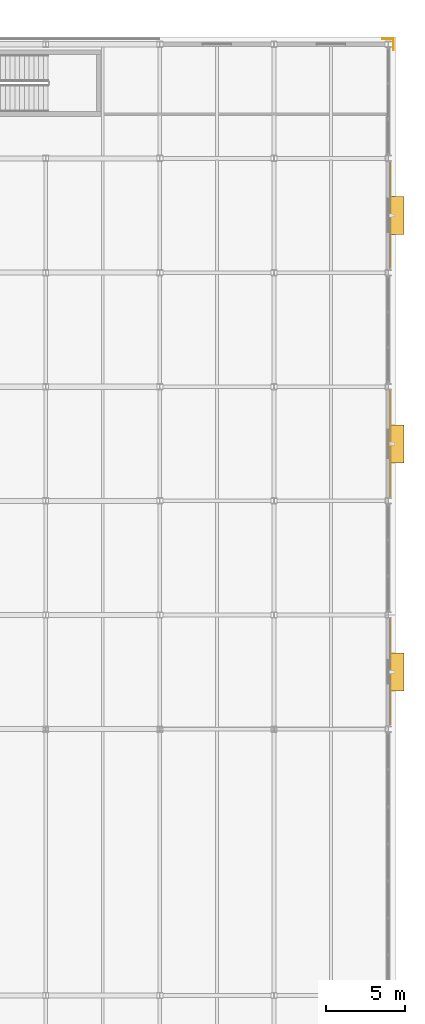
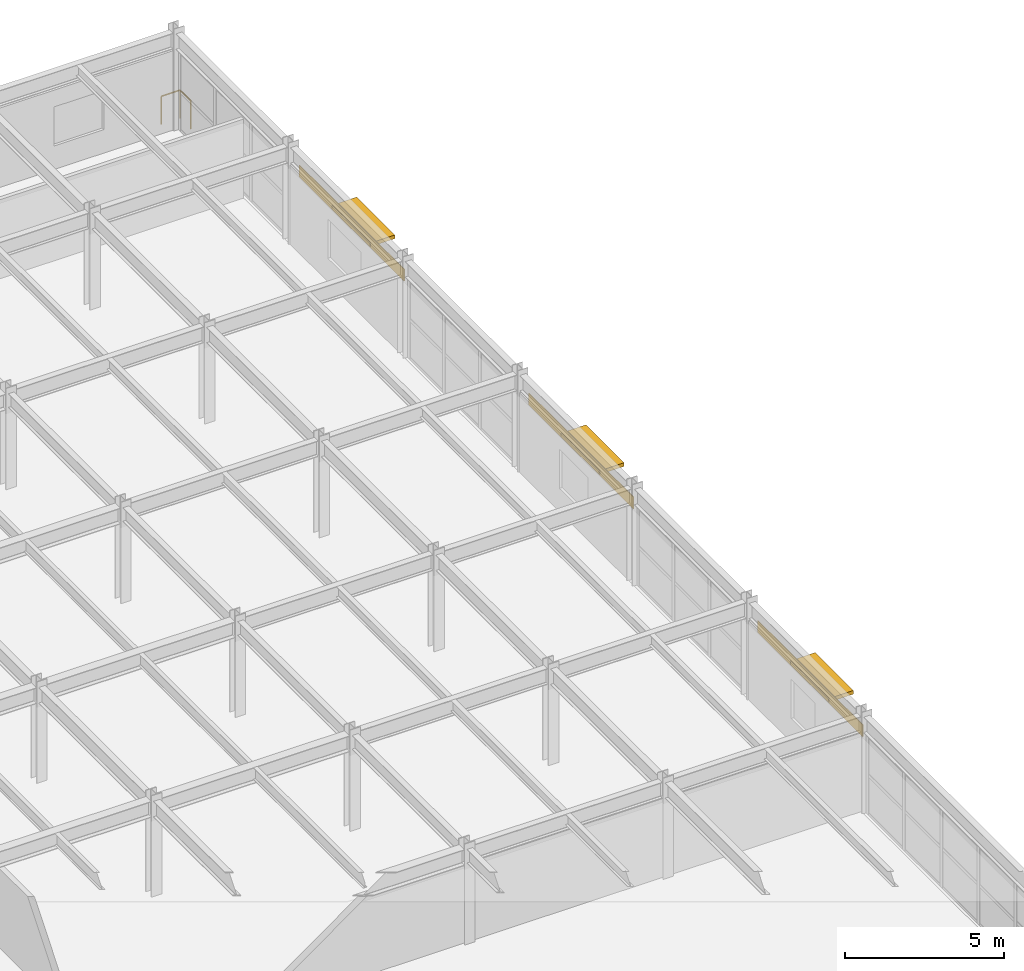
# One storey, part 93 of 93: 3 coverings, 3 shading devices, 2 railings.
"""IFC4 building model written with IfcOpenShell, lengths in metres."""

import ifcopenshell
import ifcopenshell.guid

model = None  # the IFC model being written
_history = None  # IfcOwnerHistory: only IFC2X3 demands one
_inside = {}  # id of a spatial element -> (the spatial element, [elements in it])
_under = {}  # id of a project, library or spatial element -> (it, [spatial elements below it])
_declared = {}  # id of a project -> (the project, [libraries it declares])
_typed = {}  # id of a type object -> (the type object, [elements of that type])
_made_of = {}  # id of a material, layer set ... -> (it, [elements and type objects made of it])


def new_model(schema):
    """Start an empty IFC model of exactly this schema.

    Asked for "IFC4X3", IfcOpenShell would pick the latest addendum, in which some entities
    have other attributes; the version numbers below select the first issue.
    IFC2X3 requires an IfcOwnerHistory on every rooted entity: one is made here for all.
    """
    global model, _history
    if schema == "IFC4X3":
        model = ifcopenshell.file(schema_version=(4, 3, 0, 0))
    else:
        model = ifcopenshell.file(schema=schema)
    _inside.clear()
    _under.clear()
    _declared.clear()
    _typed.clear()
    _made_of.clear()
    _history = None
    if model.schema == "IFC2X3":
        org = make("IfcOrganization", Name="unknown")
        user = make(
            "IfcPersonAndOrganization",
            ThePerson=make("IfcPerson", FamilyName="unknown"),
            TheOrganization=org,
        )
        app = make(
            "IfcApplication",
            ApplicationDeveloper=org,
            Version="unknown",
            ApplicationFullName="unknown",
            ApplicationIdentifier="unknown",
        )
        _history = make(
            "IfcOwnerHistory",
            OwningUser=user,
            OwningApplication=app,
            ChangeAction="ADDED",
            CreationDate=0,
        )
    return model


def make(cls, **values):
    """One entity of the class cls with the attributes given. An attribute that is None is left unset."""
    return model.create_entity(
        cls, **{name: value for name, value in values.items() if value is not None}
    )


def rooted(cls, **values):
    """An entity with a GlobalId (a new one), such as an element, a storey or a relation."""
    return make(cls, GlobalId=ifcopenshell.guid.new(), OwnerHistory=_history, **values)


def si_unit(unit_type, name, prefix=None):
    """IfcSIUnit, for example si_unit("LENGTHUNIT", "METRE", prefix="MILLI")."""
    return make("IfcSIUnit", UnitType=unit_type, Prefix=prefix, Name=name)


def assignment(units):
    """IfcUnitAssignment: the units of a project."""
    return None if units is None else make("IfcUnitAssignment", Units=units)


def point(xyz):
    """IfcCartesianPoint."""
    return None if xyz is None else make("IfcCartesianPoint", Coordinates=xyz)


def direction(xyz):
    """IfcDirection."""
    return None if xyz is None else make("IfcDirection", DirectionRatios=xyz)


def frame(location, z_axis=None, x_axis=None):
    """IfcAxis2Placement3D, a coordinate frame: its origin and axes. An axis left out is left unset."""
    return make(
        "IfcAxis2Placement3D",
        Location=point(location),
        Axis=direction(z_axis),
        RefDirection=direction(x_axis),
    )


def frame_2d(location, x_axis=None):
    """IfcAxis2Placement2D, a coordinate frame in the plane: its origin and x axis."""
    return make(
        "IfcAxis2Placement2D", Location=point(location), RefDirection=direction(x_axis)
    )


def origin():
    """The frame at (0, 0, 0) with its axes left unset."""
    return frame((0.0, 0.0, 0.0))


def origin_2d():
    """The frame at (0, 0) in the plane with its x axis left unset."""
    return frame_2d((0.0, 0.0))


def place(relative_to, where):
    """IfcLocalPlacement: puts the frame where relative to a parent placement (None: the world)."""
    return make(
        "IfcLocalPlacement", PlacementRelTo=relative_to, RelativePlacement=where
    )


def context(
    kind, dimensions, precision=None, world=None, true_north=None, identifier=None
):
    """IfcGeometricRepresentationContext, for example the 3D "Model" context."""
    return make(
        "IfcGeometricRepresentationContext",
        ContextIdentifier=identifier,
        ContextType=kind,
        CoordinateSpaceDimension=dimensions,
        Precision=precision,
        WorldCoordinateSystem=world,
        TrueNorth=true_north,
    )


def subcontext(parent, identifier, kind, view, scale=None):
    """IfcGeometricRepresentationSubContext, for example "Body" below "Model"."""
    return make(
        "IfcGeometricRepresentationSubContext",
        ContextIdentifier=identifier,
        ContextType=kind,
        ParentContext=parent,
        TargetScale=scale,
        TargetView=view,
    )


def project(units=None, contexts=None):
    """IfcProject with its units and contexts."""
    return rooted(
        "IfcProject",
        Name="project",
        RepresentationContexts=contexts,
        UnitsInContext=assignment(units),
    )


def spatial(cls, under=None, at=None, **own):
    """A site, building, storey or space (cls), placed at a placement, below another one or the project."""
    s = rooted(cls, ObjectPlacement=at, **own)
    if under is not None:
        _under.setdefault(under.id(), (under, []))[1].append(s)
    return s


def profile(cls, at=None, kind="AREA", **sizes):
    """A parametric profile (cls). Its sizes go by their IFC names, for example OverallWidth=200.0."""
    return make(cls, ProfileType=kind, Position=at, **sizes)


def rectangle(**sizes):
    """IfcRectangleProfileDef."""
    return profile("IfcRectangleProfileDef", **sizes)


def circle(**sizes):
    """IfcCircleProfileDef."""
    return profile("IfcCircleProfileDef", **sizes)


def extrude(swept, where, along, depth):
    """IfcExtrudedAreaSolid: the profile swept, set in the frame where, extruded along a direction by depth."""
    return make(
        "IfcExtrudedAreaSolid",
        SweptArea=swept,
        Position=where,
        ExtrudedDirection=direction(along),
        Depth=depth,
    )


def shape(context_of_items, identifier, shape_type, items):
    """IfcShapeRepresentation: the items that make up one representation, for example the "Body"."""
    return make(
        "IfcShapeRepresentation",
        ContextOfItems=context_of_items,
        RepresentationIdentifier=identifier,
        RepresentationType=shape_type,
        Items=items,
    )


def material(Name=None, Category=None):
    """IfcMaterial."""
    return make("IfcMaterial", Name=Name, Category=Category)


def layer(
    of_material, thickness, ventilated=None, Name=None, Category=None, Priority=None
):
    """IfcMaterialLayer: one layer of a wall or slab, of a material (None: an air gap)."""
    return make(
        "IfcMaterialLayer",
        Material=of_material,
        LayerThickness=thickness,
        IsVentilated=ventilated,
        Name=Name,
        Category=Category,
        Priority=Priority,
    )


def layer_set(layers, Name=None):
    """IfcMaterialLayerSet."""
    return make("IfcMaterialLayerSet", MaterialLayers=layers, LayerSetName=Name)


def made_of(thing, what):
    """Note that an element or type object is made of a material, layer set ...; save() writes the relation."""
    if what is not None:
        _made_of.setdefault(what.id(), (what, []))[1].append(thing)
    return thing


def type_object(cls, material=None, **own):
    """A type object (cls), such as IfcWallType, which elements share."""
    return made_of(rooted(cls, **own), material)


def element(
    cls,
    number,
    at=None,
    inside=None,
    cuts=None,
    type_object=None,
    material=None,
    context=None,
    identifier="Body",
    shape_type=None,
    held_by="IfcProductDefinitionShape",
    body=None,
    shapes=None,
    **own,
):
    """One element of the class cls, such as IfcWall. Its Tag is "e" and its number.

    at: its placement. inside: the storey or other place that contains it. cuts: it is an
    opening in that element (IfcRelVoidsElement). A single representation is given by context,
    identifier, shape_type and body (its items); several are given by shapes. held_by: the class
    of the entity that holds the representations. save() writes the other relations.
    """
    e = rooted(cls, Tag="e%d" % number, ObjectPlacement=at, **own)
    if body is not None:
        shapes = [shape(context, identifier, shape_type, body)]
    if shapes is not None:
        e.Representation = make(held_by, Representations=shapes)
    if inside is not None:
        _inside.setdefault(inside.id(), (inside, []))[1].append(e)
    if cuts is not None:
        rooted(
            "IfcRelVoidsElement", RelatingBuildingElement=cuts, RelatedOpeningElement=e
        )
    if type_object is not None:
        _typed.setdefault(type_object.id(), (type_object, []))[1].append(e)
    return made_of(e, material)


def aggregate(whole, parts):
    """IfcRelAggregates: a whole, such as a stair, and the parts it consists of."""
    return rooted("IfcRelAggregates", RelatingObject=whole, RelatedObjects=parts)


def save(model, path):
    """Write the relations noted so far, then the file.

    IfcRelAggregates (storeys below a building ...), IfcRelContainedInSpatialStructure (elements
    in a storey), IfcRelDefinesByType, IfcRelAssociatesMaterial and IfcRelDeclares: one each for
    every whole, place, type object, material and project.
    """
    for whole, parts in _under.values():
        aggregate(whole, parts)
    for where, things in _inside.values():
        rooted(
            "IfcRelContainedInSpatialStructure",
            RelatedElements=things,
            RelatingStructure=where,
        )
    for kind, things in _typed.values():
        rooted("IfcRelDefinesByType", RelatedObjects=things, RelatingType=kind)
    for what, things in _made_of.values():
        rooted("IfcRelAssociatesMaterial", RelatedObjects=things, RelatingMaterial=what)
    for by, libraries in _declared.values():
        rooted("IfcRelDeclares", RelatingContext=by, RelatedDefinitions=libraries)
    model.write(path)


model = new_model("IFC4")

# Units and contexts
model_context = context("Model", 3, precision=1e-05, world=origin(), true_north=direction((0.0, 1.0)))
body_context = subcontext(model_context, "Body", "Model", "MODEL_VIEW")
ifc_project = project(units=[si_unit("LENGTHUNIT", "METRE"), si_unit("AREAUNIT", "SQUARE_METRE"), si_unit("VOLUMEUNIT", "CUBIC_METRE"), si_unit("PLANEANGLEUNIT", "RADIAN"), si_unit("MASSUNIT", "GRAM", prefix="KILO")], contexts=[model_context])

# Site, building, storey
site_placement = place(None, origin())
site = spatial("IfcSite", under=ifc_project, at=site_placement, CompositionType="ELEMENT")
building_placement = place(site_placement, origin())
building = spatial("IfcBuilding", under=site, at=building_placement, Name="Vaelcorin Mobility Hub", CompositionType="ELEMENT")
storey_placement = place(building_placement, frame((0.0, 0.0, 5.39990234375)))
storey = spatial("IfcBuildingStorey", under=building, at=storey_placement, Name="L01", CompositionType="ELEMENT", Elevation=5.39990234375)

# Coverings
ifc_material_1 = material(Name="Extruded terracotta-bronze rainscreen panel", Category="masonry")
ifc_layer_1 = layer(ifc_material_1, 0.034912109375)
ifc_layer_set_1 = layer_set([ifc_layer_1], Name="Extruded terracotta-bronze rainscreen panel")
covering_type = type_object("IfcCoveringType", Name="COV-CLAD-35", PredefinedType="CLADDING", material=ifc_layer_set_1)
for number, where, z_axis, x_axis, name in (
    (1, (204.139892578125, 80.39990234375, 2.568359375), (0.0, 0.0, 1.0), (1.0, 0.0, 0.0), "Terracotta-Bronze Facade Cladding L01-09"),
    (2, (204.139892578125, 94.800048828125, 2.568359375), (0.0, 0.0, 1.0), (1.0, 0.0, 0.0), "Terracotta-Bronze Facade Cladding L01-11"),
    (3, (204.139892578125, 109.199951171875, 2.568359375), (0.0, 0.0, 1.0), (1.0, 0.0, 0.0), "Terracotta-Bronze Facade Cladding L01-13"),
):
    element("IfcCovering", number, at=place(storey_placement, frame(where, z_axis=z_axis, x_axis=x_axis)), inside=storey, type_object=covering_type, Name=name, PredefinedType="CLADDING", context=body_context, shape_type="SweptSolid", body=[
        extrude(rectangle(XDim=0.028076171875, YDim=6.60009765625, at=origin_2d()), origin(), (0.0, 0.0, 1.0), 0.449951171875),
    ])

# Railings
ifc_material_2 = material(Name="Galvanised structural steel ASTM A36", Category="steel")
ifc_layer_2 = layer(ifc_material_2, 0.070068359375)
ifc_layer_set_2 = layer_set([ifc_layer_2], Name="Galvanised structural steel ASTM A36")
railing_type = type_object("IfcRailingType", Name="RL-GUARD-1100", PredefinedType="BALUSTRADE", material=ifc_layer_set_2)
railing_1_placement = place(storey_placement, frame((203.64990234375, 120.330078125, 0.0)))
element("IfcRailing", 4, at=railing_1_placement, inside=storey, type_object=railing_type, Name="L01 Perimeter Guard GR-V5-L01-NE-CNR-01", PredefinedType="BALUSTRADE", context=body_context, shape_type="SweptSolid", body=[
    extrude(circle(Radius=0.02392578125, at=origin_2d()), frame((0.0, 0.0, 1.076171875), z_axis=(1.0, 0.0, 0.0), x_axis=(0.0, 1.0, 0.0)), (0.0, 0.0, 1.0), 0.68017578125),
    extrude(circle(Radius=0.02099609375, at=origin_2d()), origin(), (0.0, 0.0, 1.0), 1.052001953125),
    extrude(circle(Radius=0.02099609375, at=origin_2d()), frame((0.68017578125, 0.0, 0.0)), (0.0, 0.0, 1.0), 1.052001953125),
])
railing_2_placement = place(storey_placement, frame((204.330078125, 120.330078125, 0.0)))
element("IfcRailing", 5, at=railing_2_placement, inside=storey, type_object=railing_type, Name="L01 Perimeter Guard GR-V5-L01-NE-CNR-02", PredefinedType="BALUSTRADE", context=body_context, shape_type="SweptSolid", body=[
    extrude(circle(Radius=0.02392578125, at=origin_2d()), frame((0.0, 0.0, 1.076171875), z_axis=(0.0, -1.0, 0.0), x_axis=(1.0, 0.0, 0.0)), (0.0, 0.0, 1.0), 0.68017578125),
    extrude(circle(Radius=0.02099609375, at=origin_2d()), origin(), (0.0, 0.0, 1.0), 1.052001953125),
    extrude(circle(Radius=0.02099609375, at=origin_2d()), frame((0.0, -0.68017578125, 0.0)), (0.0, 0.0, 1.0), 1.052001953125),
])

# Shading devices
ifc_material_3 = material(Name="Perforated terracotta-bronze aluminium aerofoil", Category="masonry")
shading_device_type_1 = type_object("IfcShadingDeviceType", Name="SHD-JAL-1", PredefinedType="JALOUSIE", material=ifc_material_3)
for number, where, z_axis, x_axis, name in (
    (6, (204.550048828125, 80.39990234375, 2.623046875), (0.0, 0.0, 1.0), (1.0, 0.0, 0.0), "Jalousie Sun-Hood L01-09"),
    (7, (204.550048828125, 109.199951171875, 2.623046875), (0.0, 0.0, 1.0), (1.0, 0.0, 0.0), "Jalousie Sun-Hood L01-13"),
):
    element("IfcShadingDevice", number, at=place(storey_placement, frame(where, z_axis=z_axis, x_axis=x_axis)), inside=storey, type_object=shading_device_type_1, Name=name, PredefinedType="JALOUSIE", context=body_context, shape_type="SweptSolid", body=[
        extrude(rectangle(XDim=0.89990234375, YDim=2.39990234375, at=origin_2d()), origin(), (0.0, 0.0, 1.0), 0.139892578125),
    ])
shading_device_type_2 = type_object("IfcShadingDeviceType", Name="SHD-JAL-2", PredefinedType="JALOUSIE", material=ifc_material_3)
shading_device_placement = place(storey_placement, frame((204.550048828125, 94.800048828125, 2.623046875), z_axis=(0.0, 0.0, 1.0), x_axis=(1.0, 0.0, 0.0)))
element("IfcShadingDevice", 8, at=shading_device_placement, inside=storey, type_object=shading_device_type_2, Name="Jalousie Sun-Hood L01-11", PredefinedType="JALOUSIE", context=body_context, shape_type="SweptSolid", body=[
    extrude(rectangle(XDim=0.89990234375, YDim=2.39990234375, at=origin_2d()), origin(), (0.0, 0.0, 1.0), 0.139892578125),
])

save(model, "model.ifc")
